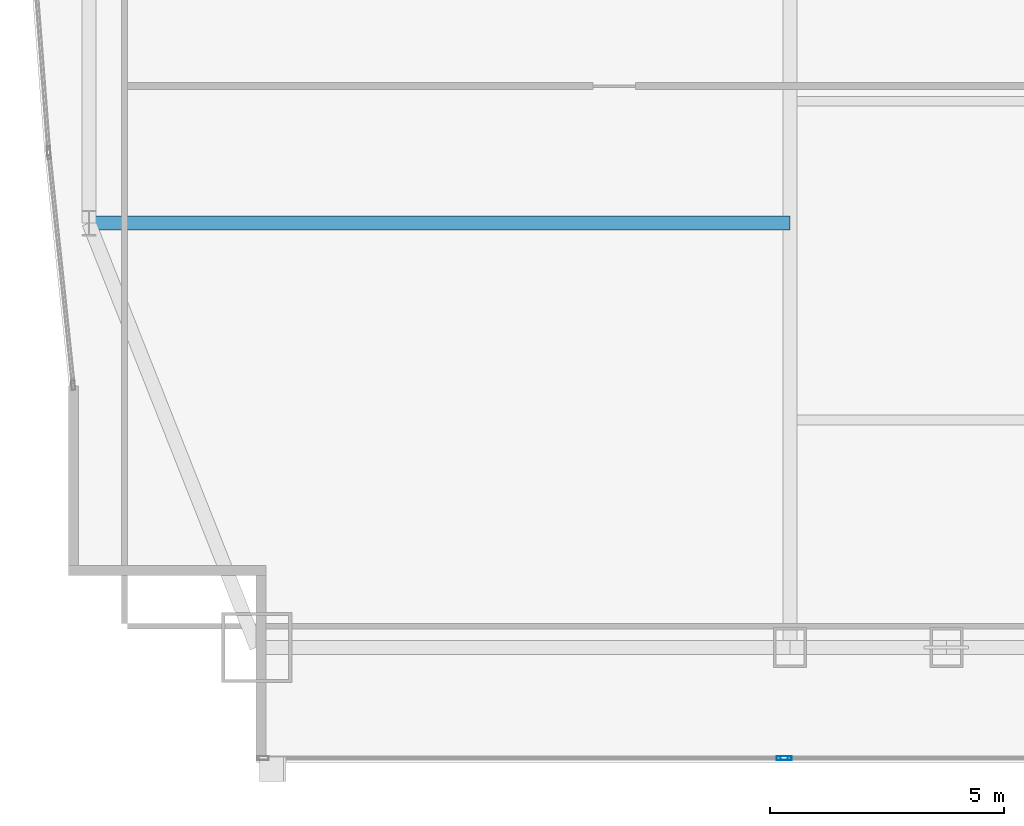
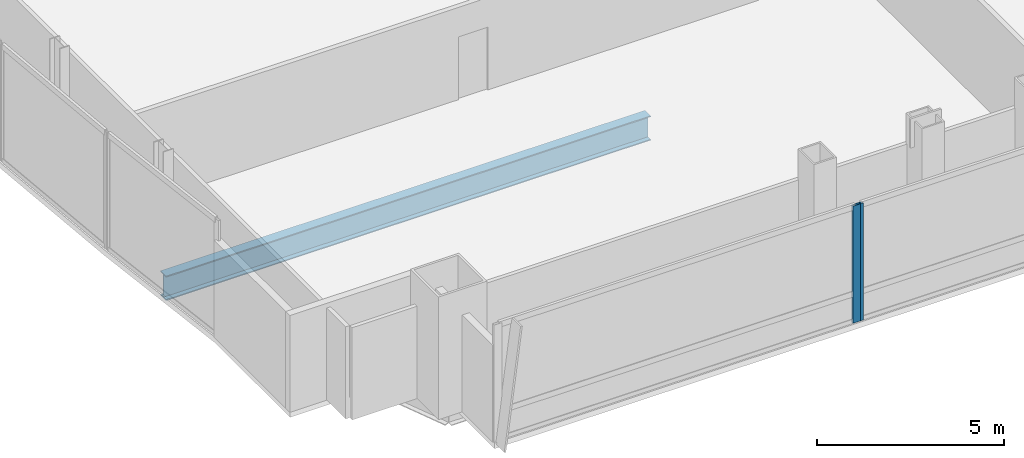
# One storey, part 7 of 30: 2 members, 1 beam, 2 elements without a shape of their own.
"""IFC4 building model written with IfcOpenShell, lengths in metres."""

from ifc_helpers import new_model, si_unit, direction, frame, origin, origin_2d, place, context, subcontext, project, spatial, hollow_rectangle, i_section, extrude, material, material_profile, profile_set, type_object, element, aggregate, save


model = new_model("IFC4")

# Units and contexts
model_context = context("Model", 3, precision=1e-05, world=origin(), true_north=direction((0.0, 1.0)))
body_context = subcontext(model_context, "Body", "Model", "MODEL_VIEW")
ifc_project = project(units=[si_unit("LENGTHUNIT", "METRE"), si_unit("AREAUNIT", "SQUARE_METRE"), si_unit("VOLUMEUNIT", "CUBIC_METRE"), si_unit("PLANEANGLEUNIT", "RADIAN"), si_unit("MASSUNIT", "GRAM", prefix="KILO")], contexts=[model_context])

# Site, building, storey
site_placement = place(None, origin())
site = spatial("IfcSite", under=ifc_project, at=site_placement, CompositionType="ELEMENT")
building_placement = place(site_placement, origin())
building = spatial("IfcBuilding", under=site, at=building_placement, Name="Khoronbel Lancet Exchange", CompositionType="ELEMENT")
storey_placement = place(building_placement, frame((0.0, 0.0, 90.60009765625)))
storey = spatial("IfcBuildingStorey", under=building, at=storey_placement, Name="L21", CompositionType="ELEMENT", Elevation=90.60009765625)

# Beam
ifc_material_1 = material(Name="Steel S355", Category="steel")
ifc_material_profile_1 = material_profile(ifc_material_1, i_section(OverallWidth=0.300048828125, OverallDepth=0.800048828125, WebThickness=0.017578125, FlangeThickness=0.032958984375, at=origin_2d()), Name="HEB 800")
ifc_profile_set_1 = profile_set([ifc_material_profile_1], Name="Steel S355")
beam_type = type_object("IfcBeamType", Name="BM-BG2", PredefinedType="BEAM", material=ifc_profile_set_1)
beam_placement = place(storey_placement, frame((3.27001953125, 19.199951171875, -0.580078125), z_axis=(1.0, 0.0, 0.0), x_axis=(0.0, 1.0, 0.0)))
element("IfcBeam", 1, at=beam_placement, inside=storey, type_object=beam_type, Name="Level L21 west lens tie girder LG1W", PredefinedType="BEAM", context=body_context, shape_type="SweptSolid", body=[
    extrude(i_section(OverallWidth=0.300048828125, OverallDepth=0.800048828125, WebThickness=0.017578125, FlangeThickness=0.032958984375, at=origin_2d()), origin(), (0.0, 0.0, 1.0), 14.955078125),
])

# Curtain wall, member
ifc_material_2 = material(Name="Low-E Solar Control Insulating Glass", Category="glass")
curtain_wall_type = type_object("IfcCurtainWallType", Name="CW-2", PredefinedType="NOTDEFINED", material=ifc_material_2)
curtain_wall_1_placement = place(storey_placement, origin())
curtain_wall_1 = element("IfcCurtainWall", 2, at=curtain_wall_1_placement, inside=storey, type_object=curtain_wall_type, Name="Unitised curtain wall CW-L21-SWV", PredefinedType="NOTDEFINED")
ifc_material_3 = material(Name="Bronze-Anodised Aluminium 6063-T6", Category="aluminium")
ifc_material_profile_2 = material_profile(ifc_material_3, hollow_rectangle(XDim=0.0849609375, YDim=0.239990234375, WallThickness=0.006103515625, at=origin_2d()), Name="ALU MULLION 85x240")
ifc_profile_set_2 = profile_set([ifc_material_profile_2], Name="Bronze-Anodised Aluminium 6063-T6")
member_type = type_object("IfcMemberType", Name="MEM-CWM1", PredefinedType="MULLION", material=ifc_profile_set_2)
member_1_placement = place(storey_placement, frame((18.0576171875, 7.7900390625, 0.0), z_axis=(0.0, 0.0, 1.0), x_axis=(0.0, 1.0, 0.0)))
member_1 = element("IfcMember", 3, at=member_1_placement, type_object=member_type, Name="CW2 mullion 2", PredefinedType="MULLION", context=body_context, shape_type="SweptSolid", body=[
    extrude(hollow_rectangle(XDim=0.0849609375, YDim=0.239990234375, WallThickness=0.006103515625, at=origin_2d()), origin(), (0.0, 0.0, 1.0), 3.81982421875),
])
aggregate(curtain_wall_1, [member_1])

curtain_wall_2_placement = place(storey_placement, origin())
curtain_wall_2 = element("IfcCurtainWall", 4, at=curtain_wall_2_placement, inside=storey, type_object=curtain_wall_type, Name="Unitised curtain wall CW-L21-SWB", PredefinedType="NOTDEFINED")
member_2_placement = place(storey_placement, frame((18.142578125, 7.7900390625, 0.0), z_axis=(0.0, 0.0, 1.0), x_axis=(0.0, 1.0, 0.0)))
member_2 = element("IfcMember", 5, at=member_2_placement, type_object=member_type, Name="CW2 mullion 1", PredefinedType="MULLION", context=body_context, shape_type="SweptSolid", body=[
    extrude(hollow_rectangle(XDim=0.0849609375, YDim=0.239990234375, WallThickness=0.006103515625, at=origin_2d()), origin(), (0.0, 0.0, 1.0), 3.81982421875),
])
aggregate(curtain_wall_2, [member_2])

save(model, "model.ifc")
